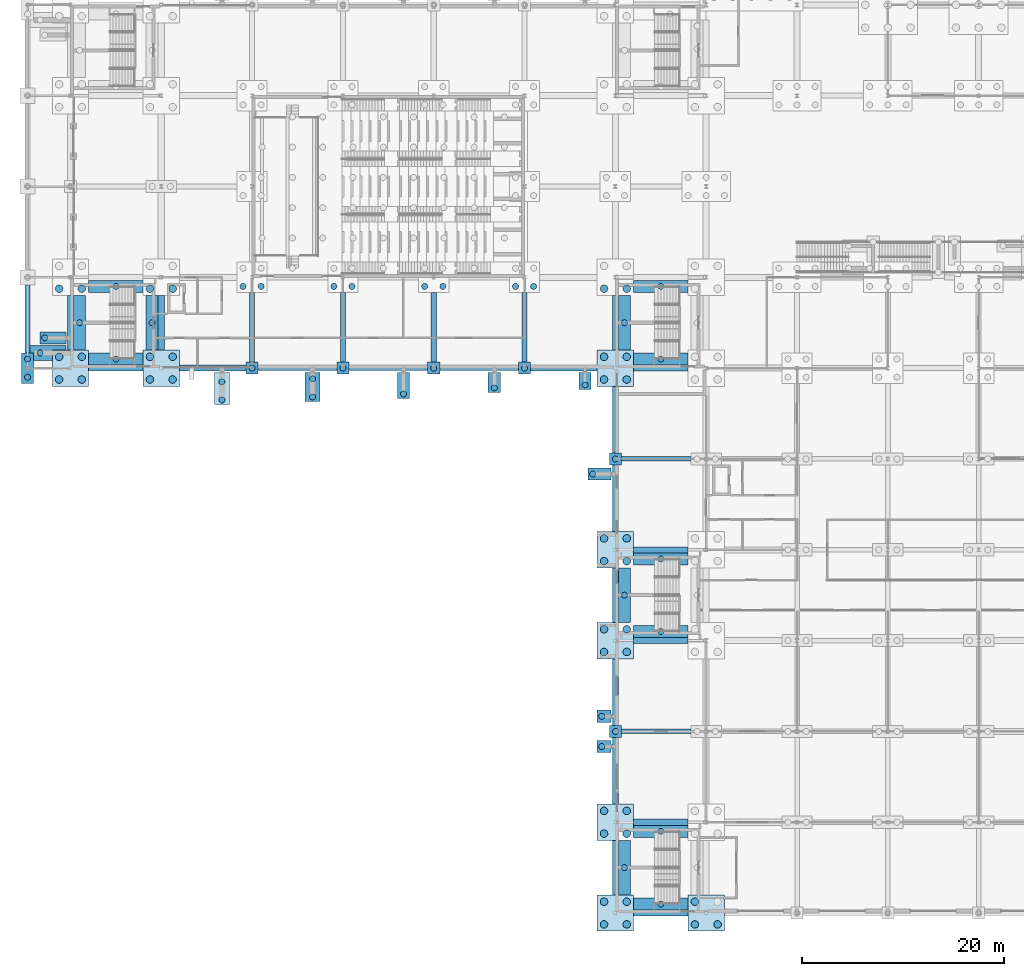
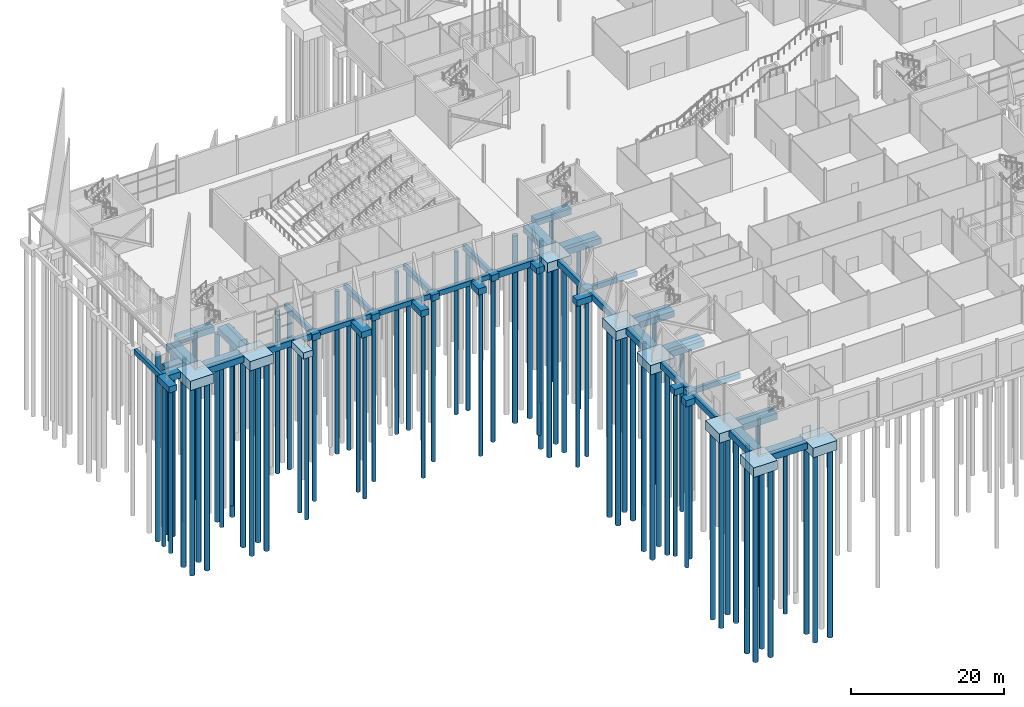
# One storey, part 1 of 139: 78 piles, 65 footings.
"""IFC4 building model written with IfcOpenShell, lengths in metres."""

from ifc_helpers import new_model, si_unit, direction, frame, origin, origin_2d, place, context, subcontext, project, spatial, polyline, rectangle, circle, outline, extrude, material, material_profile, profile_set, type_object, element, save


model = new_model("IFC4")

# Units and contexts
model_context = context("Model", 3, precision=1e-05, world=origin(), true_north=direction((0.0, 1.0)))
body_context = subcontext(model_context, "Body", "Model", "MODEL_VIEW")
ifc_project = project(units=[si_unit("LENGTHUNIT", "METRE"), si_unit("AREAUNIT", "SQUARE_METRE"), si_unit("VOLUMEUNIT", "CUBIC_METRE"), si_unit("PLANEANGLEUNIT", "RADIAN"), si_unit("MASSUNIT", "GRAM", prefix="KILO")], contexts=[model_context])

# Site, building, storey
site_placement = place(None, origin())
site = spatial("IfcSite", under=ifc_project, at=site_placement, CompositionType="ELEMENT")
building_placement = place(site_placement, origin())
building = spatial("IfcBuilding", under=site, at=building_placement, Name="Shorebreak Coast Museum", CompositionType="ELEMENT")
storey_placement = place(building_placement, origin())
storey = spatial("IfcBuildingStorey", under=building, at=storey_placement, Name="L00", CompositionType="ELEMENT", Elevation=0.0)

# Footings
ifc_material_1 = material(Name="Concrete N50 (50 MPa)", Category="concrete")
footing_type_1 = type_object("IfcFootingType", Name="Footing ground beam 450x800", PredefinedType="FOOTING_BEAM", material=ifc_material_1)
for number, where, z_axis, x_axis, name in (
    (1, (58.050048828125, 18.0, -1.10009765625), (0.0, 0.0, 1.0), (1.0, 0.0, 0.0), "Ground beam 7C to 8C"),
    (2, (58.050048828125, 45.0, -1.10009765625), (0.0, 0.0, 1.0), (1.0, 0.0, 0.0), "Ground beam 7F to 8F"),
):
    element("IfcFooting", number, at=place(storey_placement, frame(where, z_axis=z_axis, x_axis=x_axis)), inside=storey, type_object=footing_type_1, Name=name, PredefinedType="FOOTING_BEAM", context=body_context, shape_type="SweptSolid", body=[
        extrude(rectangle(XDim=6.89990234375, YDim=0.449951171875, at=origin_2d()), origin(), (0.0, 0.0, 1.0), 0.800048828125),
    ])
for number, where, z_axis, x_axis, name in (
    (3, (22.5, 54.0, -1.10009765625), (0.0, 0.0, 1.0), (1.0, 0.0, 0.0), "Ground beam 3G to 4G"),
    (4, (31.5, 54.0, -1.10009765625), (0.0, 0.0, 1.0), (1.0, 0.0, 0.0), "Ground beam 4G to 5G"),
    (5, (40.5, 54.0, -1.10009765625), (0.0, 0.0, 1.0), (1.0, 0.0, 0.0), "Ground beam 5G to 6G"),
):
    element("IfcFooting", number, at=place(storey_placement, frame(where, z_axis=z_axis, x_axis=x_axis)), inside=storey, type_object=footing_type_1, Name=name, PredefinedType="FOOTING_BEAM", context=body_context, shape_type="SweptSolid", body=[
        extrude(rectangle(XDim=7.800048828125, YDim=0.449951171875, at=origin_2d()), origin(), (0.0, 0.0, 1.0), 0.800048828125),
    ])
footing_1_placement = place(storey_placement, frame((-4.25, 58.875, -1.10009765625), z_axis=(0.0, 0.0, 1.0), x_axis=(1.0, 0.0, 0.0)))
element("IfcFooting", 6, at=footing_1_placement, inside=storey, type_object=footing_type_1, Name="Ground beam arcade west 1 to 2", PredefinedType="FOOTING_BEAM", context=body_context, shape_type="SweptSolid", body=[
    extrude(rectangle(XDim=0.449951171875, YDim=6.75, at=origin_2d()), origin(), (0.0, 0.0, 1.0), 0.800048828125),
])
ifc_material_2 = material(Name="Concrete N50 (50 MPa)", Category="concrete")
footing_type_2 = type_object("IfcFootingType", Name="Footing ground beam 500x900", PredefinedType="FOOTING_BEAM", material=ifc_material_2)
for number, where, z_axis, x_axis, name in (
    (7, (18.0, 58.050048828125, -1.199951171875), (0.0, 0.0, 1.0), (1.0, 0.0, 0.0), "Ground beam 3G to 3H"),
    (8, (27.0, 58.050048828125, -1.199951171875), (0.0, 0.0, 1.0), (1.0, 0.0, 0.0), "Ground beam 4G to 4H"),
    (9, (36.0, 58.050048828125, -1.199951171875), (0.0, 0.0, 1.0), (1.0, 0.0, 0.0), "Ground beam 5G to 5H"),
    (10, (45.0, 58.050048828125, -1.199951171875), (0.0, 0.0, 1.0), (1.0, 0.0, 0.0), "Ground beam 6G to 6H"),
):
    element("IfcFooting", number, at=place(storey_placement, frame(where, z_axis=z_axis, x_axis=x_axis)), inside=storey, type_object=footing_type_2, Name=name, PredefinedType="FOOTING_BEAM", context=body_context, shape_type="SweptSolid", body=[
        extrude(rectangle(XDim=0.5, YDim=6.89990234375, at=origin_2d()), origin(), (0.0, 0.0, 1.0), 0.89990234375),
    ])
ifc_material_3 = material(Name="Concrete N50 (50 MPa)", Category="concrete")
footing_type_3 = type_object("IfcFootingType", Name="Footing ground beam 600x1000", PredefinedType="FOOTING_BEAM", material=ifc_material_3)
footing_2_placement = place(storey_placement, frame((58.5, 0.0, -1.300048828125), z_axis=(0.0, 0.0, 1.0), x_axis=(1.0, 0.0, 0.0)))
element("IfcFooting", 11, at=footing_2_placement, inside=storey, type_object=footing_type_3, Name="Ground beam 7A to 8A", PredefinedType="FOOTING_BEAM", context=body_context, shape_type="SweptSolid", body=[
    extrude(rectangle(XDim=5.39990234375, YDim=0.60009765625, at=origin_2d()), origin(), (0.0, 0.0, 1.0), 1.0),
])
footing_3_placement = place(storey_placement, frame((54.0, 4.5, -1.300048828125), z_axis=(0.0, 0.0, 1.0), x_axis=(1.0, 0.0, 0.0)))
element("IfcFooting", 12, at=footing_3_placement, inside=storey, type_object=footing_type_3, Name="Ground beam 7A to 7B", PredefinedType="FOOTING_BEAM", context=body_context, shape_type="SweptSolid", body=[
    extrude(rectangle(XDim=0.60009765625, YDim=5.39990234375, at=origin_2d()), origin(), (0.0, 0.0, 1.0), 1.0),
])
footing_4_placement = place(storey_placement, frame((58.5, 9.0, -1.300048828125), z_axis=(0.0, 0.0, 1.0), x_axis=(1.0, 0.0, 0.0)))
element("IfcFooting", 13, at=footing_4_placement, inside=storey, type_object=footing_type_3, Name="Ground beam 7B to 8B", PredefinedType="FOOTING_BEAM", context=body_context, shape_type="SweptSolid", body=[
    extrude(rectangle(XDim=5.39990234375, YDim=0.60009765625, at=origin_2d()), origin(), (0.0, 0.0, 1.0), 1.0),
])
for number, where, z_axis, x_axis, name in (
    (14, (54.0, 14.10009765625, -1.300048828125), (0.0, 0.0, 1.0), (1.0, 0.0, 0.0), "Ground beam 7B to 7C"),
    (15, (54.0, 21.89990234375, -1.300048828125), (0.0, 0.0, 1.0), (1.0, 0.0, 0.0), "Ground beam 7C to 7D"),
):
    element("IfcFooting", number, at=place(storey_placement, frame(where, z_axis=z_axis, x_axis=x_axis)), inside=storey, type_object=footing_type_3, Name=name, PredefinedType="FOOTING_BEAM", context=body_context, shape_type="SweptSolid", body=[
        extrude(rectangle(XDim=0.60009765625, YDim=6.60009765625, at=origin_2d()), origin(), (0.0, 0.0, 1.0), 1.0),
    ])
footing_5_placement = place(storey_placement, frame((58.5, 27.0, -1.300048828125), z_axis=(0.0, 0.0, 1.0), x_axis=(1.0, 0.0, 0.0)))
element("IfcFooting", 16, at=footing_5_placement, inside=storey, type_object=footing_type_3, Name="Ground beam 7D to 8D", PredefinedType="FOOTING_BEAM", context=body_context, shape_type="SweptSolid", body=[
    extrude(rectangle(XDim=5.39990234375, YDim=0.60009765625, at=origin_2d()), origin(), (0.0, 0.0, 1.0), 1.0),
])
footing_6_placement = place(storey_placement, frame((54.0, 31.5, -1.300048828125), z_axis=(0.0, 0.0, 1.0), x_axis=(1.0, 0.0, 0.0)))
element("IfcFooting", 17, at=footing_6_placement, inside=storey, type_object=footing_type_3, Name="Ground beam 7D to 7E", PredefinedType="FOOTING_BEAM", context=body_context, shape_type="SweptSolid", body=[
    extrude(rectangle(XDim=0.60009765625, YDim=5.39990234375, at=origin_2d()), origin(), (0.0, 0.0, 1.0), 1.0),
])
footing_7_placement = place(storey_placement, frame((58.5, 36.0, -1.300048828125), z_axis=(0.0, 0.0, 1.0), x_axis=(1.0, 0.0, 0.0)))
element("IfcFooting", 18, at=footing_7_placement, inside=storey, type_object=footing_type_3, Name="Ground beam 7E to 8E", PredefinedType="FOOTING_BEAM", context=body_context, shape_type="SweptSolid", body=[
    extrude(rectangle(XDim=5.39990234375, YDim=0.60009765625, at=origin_2d()), origin(), (0.0, 0.0, 1.0), 1.0),
])
for number, where, z_axis, x_axis, name in (
    (19, (54.0, 41.10009765625, -1.300048828125), (0.0, 0.0, 1.0), (1.0, 0.0, 0.0), "Ground beam 7E to 7F"),
    (20, (54.0, 48.89990234375, -1.300048828125), (0.0, 0.0, 1.0), (1.0, 0.0, 0.0), "Ground beam 7F to 7G"),
):
    element("IfcFooting", number, at=place(storey_placement, frame(where, z_axis=z_axis, x_axis=x_axis)), inside=storey, type_object=footing_type_3, Name=name, PredefinedType="FOOTING_BEAM", context=body_context, shape_type="SweptSolid", body=[
        extrude(rectangle(XDim=0.60009765625, YDim=6.60009765625, at=origin_2d()), origin(), (0.0, 0.0, 1.0), 1.0),
    ])
footing_8_placement = place(storey_placement, frame((4.5, 54.0, -1.300048828125), z_axis=(0.0, 0.0, 1.0), x_axis=(1.0, 0.0, 0.0)))
element("IfcFooting", 21, at=footing_8_placement, inside=storey, type_object=footing_type_3, Name="Ground beam 1G to 2G", PredefinedType="FOOTING_BEAM", context=body_context, shape_type="SweptSolid", body=[
    extrude(rectangle(XDim=5.39990234375, YDim=0.60009765625, at=origin_2d()), origin(), (0.0, 0.0, 1.0), 1.0),
])
footing_9_placement = place(storey_placement, frame((0.0, 58.5, -1.300048828125), z_axis=(0.0, 0.0, 1.0), x_axis=(1.0, 0.0, 0.0)))
element("IfcFooting", 22, at=footing_9_placement, inside=storey, type_object=footing_type_3, Name="Ground beam 1G to 1H", PredefinedType="FOOTING_BEAM", context=body_context, shape_type="SweptSolid", body=[
    extrude(rectangle(XDim=0.60009765625, YDim=5.39990234375, at=origin_2d()), origin(), (0.0, 0.0, 1.0), 1.0),
])
footing_10_placement = place(storey_placement, frame((14.10009765625, 54.0, -1.300048828125), z_axis=(0.0, 0.0, 1.0), x_axis=(1.0, 0.0, 0.0)))
element("IfcFooting", 23, at=footing_10_placement, inside=storey, type_object=footing_type_3, Name="Ground beam 2G to 3G", PredefinedType="FOOTING_BEAM", context=body_context, shape_type="SweptSolid", body=[
    extrude(rectangle(XDim=6.60009765625, YDim=0.60009765625, at=origin_2d()), origin(), (0.0, 0.0, 1.0), 1.0),
])
footing_11_placement = place(storey_placement, frame((9.0, 58.5, -1.300048828125), z_axis=(0.0, 0.0, 1.0), x_axis=(1.0, 0.0, 0.0)))
element("IfcFooting", 24, at=footing_11_placement, inside=storey, type_object=footing_type_3, Name="Ground beam 2G to 2H", PredefinedType="FOOTING_BEAM", context=body_context, shape_type="SweptSolid", body=[
    extrude(rectangle(XDim=0.60009765625, YDim=5.39990234375, at=origin_2d()), origin(), (0.0, 0.0, 1.0), 1.0),
])
footing_12_placement = place(storey_placement, frame((48.89990234375, 54.0, -1.300048828125), z_axis=(0.0, 0.0, 1.0), x_axis=(1.0, 0.0, 0.0)))
element("IfcFooting", 25, at=footing_12_placement, inside=storey, type_object=footing_type_3, Name="Ground beam 6G to 7G", PredefinedType="FOOTING_BEAM", context=body_context, shape_type="SweptSolid", body=[
    extrude(rectangle(XDim=6.60009765625, YDim=0.60009765625, at=origin_2d()), origin(), (0.0, 0.0, 1.0), 1.0),
])
footing_13_placement = place(storey_placement, frame((58.5, 54.0, -1.300048828125), z_axis=(0.0, 0.0, 1.0), x_axis=(1.0, 0.0, 0.0)))
element("IfcFooting", 26, at=footing_13_placement, inside=storey, type_object=footing_type_3, Name="Ground beam 7G to 8G", PredefinedType="FOOTING_BEAM", context=body_context, shape_type="SweptSolid", body=[
    extrude(rectangle(XDim=5.39990234375, YDim=0.60009765625, at=origin_2d()), origin(), (0.0, 0.0, 1.0), 1.0),
])
footing_14_placement = place(storey_placement, frame((54.0, 58.5, -1.300048828125), z_axis=(0.0, 0.0, 1.0), x_axis=(1.0, 0.0, 0.0)))
element("IfcFooting", 27, at=footing_14_placement, inside=storey, type_object=footing_type_3, Name="Ground beam 7G to 7H", PredefinedType="FOOTING_BEAM", context=body_context, shape_type="SweptSolid", body=[
    extrude(rectangle(XDim=0.60009765625, YDim=5.39990234375, at=origin_2d()), origin(), (0.0, 0.0, 1.0), 1.0),
])
ifc_material_4 = material(Name="Concrete N50 (50 MPa)", Category="concrete")
footing_type_4 = type_object("IfcFootingType", Name="Footing pile cap 1200x1200x1000", PredefinedType="PILE_CAP", material=ifc_material_4)
for number, where, z_axis, x_axis, name in (
    (28, (54.0, 18.0, -1.300048828125), (0.0, 0.0, 1.0), (1.0, 0.0, 0.0), "Pile cap 7C"),
    (29, (54.0, 45.0, -1.300048828125), (0.0, 0.0, 1.0), (1.0, 0.0, 0.0), "Pile cap 7F"),
    (30, (18.0, 54.0, -1.300048828125), (0.0, 0.0, 1.0), (1.0, 0.0, 0.0), "Pile cap 3G"),
    (31, (27.0, 54.0, -1.300048828125), (0.0, 0.0, 1.0), (1.0, 0.0, 0.0), "Pile cap 4G"),
    (32, (36.0, 54.0, -1.300048828125), (0.0, 0.0, 1.0), (1.0, 0.0, 0.0), "Pile cap 5G"),
    (33, (45.0, 54.0, -1.300048828125), (0.0, 0.0, 1.0), (1.0, 0.0, 0.0), "Pile cap 6G"),
):
    element("IfcFooting", number, at=place(storey_placement, frame(where, z_axis=z_axis, x_axis=x_axis)), inside=storey, type_object=footing_type_4, Name=name, PredefinedType="PILE_CAP", context=body_context, shape_type="SweptSolid", body=[
        extrude(rectangle(XDim=1.199951171875, YDim=1.199951171875, at=origin_2d()), origin(), (0.0, 0.0, 1.0), 1.0),
    ])
ifc_material_5 = material(Name="Concrete N50 (50 MPa)", Category="concrete")
footing_type_5 = type_object("IfcFootingType", Name="Footing pile cap 1200x3000x1000", PredefinedType="PILE_CAP", material=ifc_material_5)
footing_15_placement = place(storey_placement, frame((-4.25, 54.0, -1.300048828125), z_axis=(0.0, 0.0, 1.0), x_axis=(1.0, 0.0, 0.0)))
element("IfcFooting", 34, at=footing_15_placement, inside=storey, type_object=footing_type_5, Name="Pile cap arcade west 1", PredefinedType="PILE_CAP", context=body_context, shape_type="SweptSolid", body=[
    extrude(rectangle(XDim=1.199951171875, YDim=3.0, at=origin_2d()), origin(), (0.0, 0.0, 1.0), 1.0),
])
ifc_material_6 = material(Name="Concrete N50 (50 MPa)", Category="concrete")
footing_type_6 = type_object("IfcFootingType", Name="Footing pile cap 3600x3600x1500", PredefinedType="PILE_CAP", material=ifc_material_6)
for number, where, z_axis, x_axis, name in (
    (35, (54.0, 0.0, -1.800048828125), (0.0, 0.0, 1.0), (1.0, 0.0, 0.0), "Pile cap 7A"),
    (36, (63.0, 0.0, -1.800048828125), (0.0, 0.0, 1.0), (1.0, 0.0, 0.0), "Pile cap 8A"),
    (37, (54.0, 9.0, -1.800048828125), (0.0, 0.0, 1.0), (1.0, 0.0, 0.0), "Pile cap 7B"),
    (38, (54.0, 27.0, -1.800048828125), (0.0, 0.0, 1.0), (1.0, 0.0, 0.0), "Pile cap 7D"),
    (39, (54.0, 36.0, -1.800048828125), (0.0, 0.0, 1.0), (1.0, 0.0, 0.0), "Pile cap 7E"),
    (40, (0.0, 54.0, -1.800048828125), (0.0, 0.0, 1.0), (1.0, 0.0, 0.0), "Pile cap 1G"),
    (41, (9.0, 54.0, -1.800048828125), (0.0, 0.0, 1.0), (1.0, 0.0, 0.0), "Pile cap 2G"),
    (42, (54.0, 54.0, -1.800048828125), (0.0, 0.0, 1.0), (1.0, 0.0, 0.0), "Pile cap 7G"),
):
    element("IfcFooting", number, at=place(storey_placement, frame(where, z_axis=z_axis, x_axis=x_axis)), inside=storey, type_object=footing_type_6, Name=name, PredefinedType="PILE_CAP", context=body_context, shape_type="SweptSolid", body=[
        extrude(rectangle(XDim=3.60009765625, YDim=3.60009765625, at=origin_2d()), origin(), (0.0, 0.0, 1.0), 1.5),
    ])
ifc_material_7 = material(Name="Concrete N50 (50 MPa)", Category="concrete")
footing_type_7 = type_object("IfcFootingType", Name="Footing strip footing 1200x1650x1000", PredefinedType="STRIP_FOOTING", material=ifc_material_7)
footing_16_placement = place(storey_placement, frame((51.0, 52.72509765625, -1.300048828125), z_axis=(0.0, 0.0, 1.0), x_axis=(1.0, 0.0, 0.0)))
element("IfcFooting", 43, at=footing_16_placement, inside=storey, type_object=footing_type_7, Name="Fin pad WS18", PredefinedType="STRIP_FOOTING", context=body_context, shape_type="SweptSolid", body=[
    extrude(rectangle(XDim=1.199951171875, YDim=1.64990234375, at=origin_2d()), origin(), (0.0, 0.0, 1.0), 1.0),
])
ifc_material_8 = material(Name="Concrete N50 (50 MPa)", Category="concrete")
footing_type_8 = type_object("IfcFootingType", Name="Footing strip footing 1200x1950x1000", PredefinedType="STRIP_FOOTING", material=ifc_material_8)
footing_17_placement = place(storey_placement, frame((42.0, 52.574951171875, -1.300048828125), z_axis=(0.0, 0.0, 1.0), x_axis=(1.0, 0.0, 0.0)))
element("IfcFooting", 44, at=footing_17_placement, inside=storey, type_object=footing_type_8, Name="Fin pad WS17", PredefinedType="STRIP_FOOTING", context=body_context, shape_type="SweptSolid", body=[
    extrude(rectangle(XDim=1.199951171875, YDim=1.949951171875, at=origin_2d()), origin(), (0.0, 0.0, 1.0), 1.0),
])
ifc_material_9 = material(Name="Concrete N50 (50 MPa)", Category="concrete")
footing_type_9 = type_object("IfcFootingType", Name="Footing strip footing 1200x2550x1000", PredefinedType="STRIP_FOOTING", material=ifc_material_9)
footing_18_placement = place(storey_placement, frame((33.0, 52.27490234375, -1.300048828125), z_axis=(0.0, 0.0, 1.0), x_axis=(1.0, 0.0, 0.0)))
element("IfcFooting", 45, at=footing_18_placement, inside=storey, type_object=footing_type_9, Name="Fin pad WS16", PredefinedType="STRIP_FOOTING", context=body_context, shape_type="SweptSolid", body=[
    extrude(rectangle(XDim=1.199951171875, YDim=2.550048828125, at=origin_2d()), origin(), (0.0, 0.0, 1.0), 1.0),
])
ifc_material_10 = material(Name="Concrete N50 (50 MPa)", Category="concrete")
footing_type_10 = type_object("IfcFootingType", Name="Footing strip footing 1200x5400x1000", PredefinedType="STRIP_FOOTING", material=ifc_material_10)
for number, where, z_axis, x_axis, name in (
    (46, (54.89990234375, 58.5, -1.300048828125), (0.0, 0.0, 1.0), (1.0, 0.0, 0.0), "Core wall strip footing ST01 west side"),
    (47, (0.89990234375, 58.5, -1.300048828125), (0.0, 0.0, 1.0), (1.0, 0.0, 0.0), "Core wall strip footing ST05 west side"),
    (48, (8.10009765625, 58.5, -1.300048828125), (0.0, 0.0, 1.0), (1.0, 0.0, 0.0), "Core wall strip footing ST05 east side"),
    (49, (54.89990234375, 4.5, -1.300048828125), (0.0, 0.0, 1.0), (1.0, 0.0, 0.0), "Core wall strip footing ST11 west side"),
    (50, (54.89990234375, 31.5, -1.300048828125), (0.0, 0.0, 1.0), (1.0, 0.0, 0.0), "Core wall strip footing ST13 west side"),
):
    element("IfcFooting", number, at=place(storey_placement, frame(where, z_axis=z_axis, x_axis=x_axis)), inside=storey, type_object=footing_type_10, Name=name, PredefinedType="STRIP_FOOTING", context=body_context, shape_type="SweptSolid", body=[
        extrude(rectangle(XDim=1.199951171875, YDim=5.39990234375, at=origin_2d()), origin(), (0.0, 0.0, 1.0), 1.0),
    ])
ifc_material_11 = material(Name="Concrete N50 (50 MPa)", Category="concrete")
footing_type_11 = type_object("IfcFootingType", Name="Footing strip footing 1350x1200x1000", PredefinedType="STRIP_FOOTING", material=ifc_material_11)
for number, where, z_axis, x_axis, name in (
    (51, (52.875, 16.5, -1.300048828125), (0.0, 0.0, 1.0), (1.0, 0.0, 0.0), "Fin pad SW33"),
    (52, (52.875, 19.5, -1.300048828125), (0.0, 0.0, 1.0), (1.0, 0.0, 0.0), "Fin pad SW34"),
):
    element("IfcFooting", number, at=place(storey_placement, frame(where, z_axis=z_axis, x_axis=x_axis)), inside=storey, type_object=footing_type_11, Name=name, PredefinedType="STRIP_FOOTING", context=body_context, shape_type="SweptSolid", body=[
        extrude(rectangle(XDim=1.35009765625, YDim=1.199951171875, at=origin_2d()), origin(), (0.0, 0.0, 1.0), 1.0),
    ])
ifc_material_12 = material(Name="Concrete N50 (50 MPa)", Category="concrete")
footing_type_12 = type_object("IfcFootingType", Name="Footing strip footing 1500x2850x1000", PredefinedType="STRIP_FOOTING", material=ifc_material_12)
footing_19_placement = place(storey_placement, frame((24.0, 52.125, -1.300048828125), z_axis=(0.0, 0.0, 1.0), x_axis=(1.0, 0.0, 0.0)))
element("IfcFooting", 53, at=footing_19_placement, inside=storey, type_object=footing_type_12, Name="Fin pad WS15", PredefinedType="STRIP_FOOTING", context=body_context, shape_type="SweptSolid", body=[
    extrude(rectangle(XDim=1.5, YDim=2.85009765625, at=origin_2d()), origin(), (0.0, 0.0, 1.0), 1.0),
])
ifc_material_13 = material(Name="Concrete N50 (50 MPa)", Category="concrete")
footing_type_13 = type_object("IfcFootingType", Name="Footing strip footing 1500x3150x1000", PredefinedType="STRIP_FOOTING", material=ifc_material_13)
footing_20_placement = place(storey_placement, frame((15.0, 51.97509765625, -1.300048828125), z_axis=(0.0, 0.0, 1.0), x_axis=(1.0, 0.0, 0.0)))
element("IfcFooting", 54, at=footing_20_placement, inside=storey, type_object=footing_type_13, Name="Fin pad WS14", PredefinedType="STRIP_FOOTING", context=body_context, shape_type="SweptSolid", body=[
    extrude(rectangle(XDim=1.5, YDim=3.14990234375, at=origin_2d()), origin(), (0.0, 0.0, 1.0), 1.0),
])
ifc_material_14 = material(Name="Concrete N50 (50 MPa)", Category="concrete")
footing_type_14 = type_object("IfcFootingType", Name="Footing strip footing 2250x1200x1000", PredefinedType="STRIP_FOOTING", material=ifc_material_14)
footing_21_placement = place(storey_placement, frame((52.425048828125, 43.5, -1.300048828125), z_axis=(0.0, 0.0, 1.0), x_axis=(1.0, 0.0, 0.0)))
element("IfcFooting", 55, at=footing_21_placement, inside=storey, type_object=footing_type_14, Name="Fin pad SW39", PredefinedType="STRIP_FOOTING", context=body_context, shape_type="SweptSolid", body=[
    extrude(rectangle(XDim=2.25, YDim=1.199951171875, at=origin_2d()), origin(), (0.0, 0.0, 1.0), 1.0),
])
ifc_material_15 = material(Name="Concrete N50 (50 MPa)", Category="concrete")
footing_type_15 = type_object("IfcFootingType", Name="Footing strip footing 2550x1200x1000", PredefinedType="STRIP_FOOTING", material=ifc_material_15)
footing_22_placement = place(storey_placement, frame((-1.72509765625, 57.0, -1.300048828125), z_axis=(0.0, 0.0, 1.0), x_axis=(1.0, 0.0, 0.0)))
element("IfcFooting", 56, at=footing_22_placement, inside=storey, type_object=footing_type_15, Name="Fin pad W02", PredefinedType="STRIP_FOOTING", context=body_context, shape_type="SweptSolid", body=[
    extrude(rectangle(XDim=2.550048828125, YDim=1.199951171875, at=origin_2d()), origin(), (0.0, 0.0, 1.0), 1.0),
])
ifc_material_16 = material(Name="Concrete N50 (50 MPa)", Category="concrete")
footing_type_16 = type_object("IfcFootingType", Name="Footing strip footing 3750x1500x1000 notched", PredefinedType="STRIP_FOOTING", material=ifc_material_16)
footing_23_placement = place(storey_placement, frame((0.0, 0.0, -1.300048828125)))
element("IfcFooting", 57, at=footing_23_placement, inside=storey, type_object=footing_type_16, Name="Fin pad W01", PredefinedType="STRIP_FOOTING", context=body_context, shape_type="SweptSolid", body=[
    extrude(outline(polyline([(-4.199951171875, 54.75), (-4.199951171875, 56.25), (-0.449951171875, 56.25), (-0.449951171875, 55.800048828125), (-1.800048828125, 55.800048828125), (-1.800048828125, 54.75), (-4.199951171875, 54.75)])), origin(), (0.0, 0.0, 1.0), 1.0),
])
ifc_material_17 = material(Name="Concrete N50 (50 MPa)", Category="concrete")
footing_type_17 = type_object("IfcFootingType", Name="Footing strip footing 5400x1200x1000", PredefinedType="STRIP_FOOTING", material=ifc_material_17)
for number, where, z_axis, x_axis, name in (
    (58, (58.5, 54.89990234375, -1.300048828125), (0.0, 0.0, 1.0), (1.0, 0.0, 0.0), "Core wall strip footing ST01 south side"),
    (59, (58.5, 62.10009765625, -1.300048828125), (0.0, 0.0, 1.0), (1.0, 0.0, 0.0), "Core wall strip footing ST01 north side"),
    (60, (4.5, 54.89990234375, -1.300048828125), (0.0, 0.0, 1.0), (1.0, 0.0, 0.0), "Core wall strip footing ST05 south side"),
    (61, (4.5, 62.10009765625, -1.300048828125), (0.0, 0.0, 1.0), (1.0, 0.0, 0.0), "Core wall strip footing ST05 north side"),
    (62, (58.5, 0.89990234375, -1.300048828125), (0.0, 0.0, 1.0), (1.0, 0.0, 0.0), "Core wall strip footing ST11 south side"),
    (63, (58.5, 8.10009765625, -1.300048828125), (0.0, 0.0, 1.0), (1.0, 0.0, 0.0), "Core wall strip footing ST11 north side"),
    (64, (58.5, 27.89990234375, -1.300048828125), (0.0, 0.0, 1.0), (1.0, 0.0, 0.0), "Core wall strip footing ST13 south side"),
    (65, (58.5, 35.10009765625, -1.300048828125), (0.0, 0.0, 1.0), (1.0, 0.0, 0.0), "Core wall strip footing ST13 north side"),
):
    element("IfcFooting", number, at=place(storey_placement, frame(where, z_axis=z_axis, x_axis=x_axis)), inside=storey, type_object=footing_type_17, Name=name, PredefinedType="STRIP_FOOTING", context=body_context, shape_type="SweptSolid", body=[
        extrude(rectangle(XDim=5.39990234375, YDim=1.199951171875, at=origin_2d()), origin(), (0.0, 0.0, 1.0), 1.0),
    ])

# Piles
ifc_material_18 = material(Name="Concrete N50 (50 MPa)", Category="concrete")
ifc_material_profile_1 = material_profile(ifc_material_18, circle(Radius=0.300048828125, at=origin_2d()), Name="Pile bored 600 length 26")
ifc_profile_set_1 = profile_set([ifc_material_profile_1], Name="Concrete N50 (50 MPa)")
pile_type_1 = type_object("IfcPileType", Name="Pile bored 600 length 26", PredefinedType="BORED", material=ifc_profile_set_1)
for number, where, z_axis, x_axis, name in (
    (66, (54.0, 18.0, -1.300048828125), (0.0, 0.0, -1.0), (1.0, 0.0, 0.0), "Bored pile Pile cap 7C 1"),
    (67, (54.0, 45.0, -1.300048828125), (0.0, 0.0, -1.0), (1.0, 0.0, 0.0), "Bored pile Pile cap 7F 1"),
    (68, (18.0, 54.0, -1.300048828125), (0.0, 0.0, -1.0), (1.0, 0.0, 0.0), "Bored pile Pile cap 3G 1"),
    (69, (27.0, 54.0, -1.300048828125), (0.0, 0.0, -1.0), (1.0, 0.0, 0.0), "Bored pile Pile cap 4G 1"),
    (70, (36.0, 54.0, -1.300048828125), (0.0, 0.0, -1.0), (1.0, 0.0, 0.0), "Bored pile Pile cap 5G 1"),
    (71, (45.0, 54.0, -1.300048828125), (0.0, 0.0, -1.0), (1.0, 0.0, 0.0), "Bored pile Pile cap 6G 1"),
    (72, (17.10009765625, 62.10009765625, -1.5), (0.0, 0.0, -1.0), (1.0, 0.0, 0.0), "Bored pile Pile cap 3H 1"),
    (73, (18.89990234375, 62.10009765625, -1.5), (0.0, 0.0, -1.0), (1.0, 0.0, 0.0), "Bored pile Pile cap 3H 2"),
    (74, (26.10009765625, 62.10009765625, -1.5), (0.0, 0.0, -1.0), (1.0, 0.0, 0.0), "Bored pile Pile cap 4H 1"),
    (75, (27.89990234375, 62.10009765625, -1.5), (0.0, 0.0, -1.0), (1.0, 0.0, 0.0), "Bored pile Pile cap 4H 2"),
    (76, (35.10009765625, 62.10009765625, -1.5), (0.0, 0.0, -1.0), (1.0, 0.0, 0.0), "Bored pile Pile cap 5H 1"),
    (77, (36.89990234375, 62.10009765625, -1.5), (0.0, 0.0, -1.0), (1.0, 0.0, 0.0), "Bored pile Pile cap 5H 2"),
    (78, (44.10009765625, 62.10009765625, -1.5), (0.0, 0.0, -1.0), (1.0, 0.0, 0.0), "Bored pile Pile cap 6H 1"),
    (79, (45.89990234375, 62.10009765625, -1.5), (0.0, 0.0, -1.0), (1.0, 0.0, 0.0), "Bored pile Pile cap 6H 2"),
    (80, (58.5, 54.89990234375, -1.300048828125), (0.0, 0.0, -1.0), (1.0, 0.0, 0.0), "Bored pile Core wall strip footing ST01 south side 1"),
    (81, (58.5, 62.10009765625, -1.300048828125), (0.0, 0.0, -1.0), (1.0, 0.0, 0.0), "Bored pile Core wall strip footing ST01 north side 1"),
    (82, (54.89990234375, 58.5, -1.300048828125), (0.0, 0.0, -1.0), (1.0, 0.0, 0.0), "Bored pile Core wall strip footing ST01 west side 1"),
    (83, (4.5, 54.89990234375, -1.300048828125), (0.0, 0.0, -1.0), (1.0, 0.0, 0.0), "Bored pile Core wall strip footing ST05 south side 1"),
    (84, (4.5, 62.10009765625, -1.300048828125), (0.0, 0.0, -1.0), (1.0, 0.0, 0.0), "Bored pile Core wall strip footing ST05 north side 1"),
    (85, (0.89990234375, 58.5, -1.300048828125), (0.0, 0.0, -1.0), (1.0, 0.0, 0.0), "Bored pile Core wall strip footing ST05 west side 1"),
    (86, (8.10009765625, 58.5, -1.300048828125), (0.0, 0.0, -1.0), (1.0, 0.0, 0.0), "Bored pile Core wall strip footing ST05 east side 1"),
    (87, (58.5, 0.89990234375, -1.300048828125), (0.0, 0.0, -1.0), (1.0, 0.0, 0.0), "Bored pile Core wall strip footing ST11 south side 1"),
    (88, (58.5, 8.10009765625, -1.300048828125), (0.0, 0.0, -1.0), (1.0, 0.0, 0.0), "Bored pile Core wall strip footing ST11 north side 1"),
    (89, (54.89990234375, 4.5, -1.300048828125), (0.0, 0.0, -1.0), (1.0, 0.0, 0.0), "Bored pile Core wall strip footing ST11 west side 1"),
    (90, (58.5, 27.89990234375, -1.300048828125), (0.0, 0.0, -1.0), (1.0, 0.0, 0.0), "Bored pile Core wall strip footing ST13 south side 1"),
    (91, (58.5, 35.10009765625, -1.300048828125), (0.0, 0.0, -1.0), (1.0, 0.0, 0.0), "Bored pile Core wall strip footing ST13 north side 1"),
    (92, (54.89990234375, 31.5, -1.300048828125), (0.0, 0.0, -1.0), (1.0, 0.0, 0.0), "Bored pile Core wall strip footing ST13 west side 1"),
    (93, (-3.0, 55.5, -1.300048828125), (0.0, 0.0, -1.0), (1.0, 0.0, 0.0), "Bored pile Fin pad W01 1"),
    (94, (-2.550048828125, 57.0, -1.300048828125), (0.0, 0.0, -1.0), (1.0, 0.0, 0.0), "Bored pile Fin pad W02 1"),
    (95, (15.0, 50.85009765625, -1.300048828125), (0.0, 0.0, -1.0), (1.0, 0.0, 0.0), "Bored pile Fin pad WS14 1"),
    (96, (15.0, 52.64990234375, -1.300048828125), (0.0, 0.0, -1.0), (1.0, 0.0, 0.0), "Bored pile Fin pad WS14 2"),
    (97, (24.0, 51.14990234375, -1.300048828125), (0.0, 0.0, -1.0), (1.0, 0.0, 0.0), "Bored pile Fin pad WS15 1"),
    (98, (24.0, 52.949951171875, -1.300048828125), (0.0, 0.0, -1.0), (1.0, 0.0, 0.0), "Bored pile Fin pad WS15 2"),
    (99, (33.0, 51.449951171875, -1.300048828125), (0.0, 0.0, -1.0), (1.0, 0.0, 0.0), "Bored pile Fin pad WS16 1"),
    (100, (42.0, 52.050048828125, -1.300048828125), (0.0, 0.0, -1.0), (1.0, 0.0, 0.0), "Bored pile Fin pad WS17 1"),
    (101, (51.0, 52.35009765625, -1.300048828125), (0.0, 0.0, -1.0), (1.0, 0.0, 0.0), "Bored pile Fin pad WS18 1"),
    (102, (52.64990234375, 16.5, -1.300048828125), (0.0, 0.0, -1.0), (1.0, 0.0, 0.0), "Bored pile Fin pad SW33 1"),
    (103, (52.64990234375, 19.5, -1.300048828125), (0.0, 0.0, -1.0), (1.0, 0.0, 0.0), "Bored pile Fin pad SW34 1"),
    (104, (51.75, 43.5, -1.300048828125), (0.0, 0.0, -1.0), (1.0, 0.0, 0.0), "Bored pile Fin pad SW39 1"),
    (105, (-4.25, 53.10009765625, -1.300048828125), (0.0, 0.0, -1.0), (1.0, 0.0, 0.0), "Bored pile arcade west 1 1"),
    (106, (-4.25, 54.89990234375, -1.300048828125), (0.0, 0.0, -1.0), (1.0, 0.0, 0.0), "Bored pile arcade west 1 2"),
):
    element("IfcPile", number, at=place(storey_placement, frame(where, z_axis=z_axis, x_axis=x_axis)), inside=storey, type_object=pile_type_1, Name=name, PredefinedType="BORED", context=body_context, shape_type="SweptSolid", body=[
        extrude(circle(Radius=0.300048828125, at=origin_2d()), origin(), (0.0, 0.0, 1.0), 26.0),
    ])
ifc_material_19 = material(Name="Concrete N50 (50 MPa)", Category="concrete")
ifc_material_profile_2 = material_profile(ifc_material_19, circle(Radius=0.375, at=origin_2d()), Name="Pile bored 750 length 30")
ifc_profile_set_2 = profile_set([ifc_material_profile_2], Name="Concrete N50 (50 MPa)")
pile_type_2 = type_object("IfcPileType", Name="Pile bored 750 length 30", PredefinedType="BORED", material=ifc_profile_set_2)
for number, where, z_axis, x_axis, name in (
    (107, (52.875, -1.125, -1.800048828125), (0.0, 0.0, -1.0), (1.0, 0.0, 0.0), "Bored pile Pile cap 7A 1"),
    (108, (55.125, -1.125, -1.800048828125), (0.0, 0.0, -1.0), (1.0, 0.0, 0.0), "Bored pile Pile cap 7A 2"),
    (109, (52.875, 1.125, -1.800048828125), (0.0, 0.0, -1.0), (1.0, 0.0, 0.0), "Bored pile Pile cap 7A 3"),
    (110, (55.125, 1.125, -1.800048828125), (0.0, 0.0, -1.0), (1.0, 0.0, 0.0), "Bored pile Pile cap 7A 4"),
    (111, (61.875, -1.125, -1.800048828125), (0.0, 0.0, -1.0), (1.0, 0.0, 0.0), "Bored pile Pile cap 8A 1"),
    (112, (64.125, -1.125, -1.800048828125), (0.0, 0.0, -1.0), (1.0, 0.0, 0.0), "Bored pile Pile cap 8A 2"),
    (113, (61.875, 1.125, -1.800048828125), (0.0, 0.0, -1.0), (1.0, 0.0, 0.0), "Bored pile Pile cap 8A 3"),
    (114, (52.875, 7.875, -1.800048828125), (0.0, 0.0, -1.0), (1.0, 0.0, 0.0), "Bored pile Pile cap 7B 1"),
    (115, (55.125, 7.875, -1.800048828125), (0.0, 0.0, -1.0), (1.0, 0.0, 0.0), "Bored pile Pile cap 7B 2"),
    (116, (52.875, 10.125, -1.800048828125), (0.0, 0.0, -1.0), (1.0, 0.0, 0.0), "Bored pile Pile cap 7B 3"),
    (117, (55.125, 10.125, -1.800048828125), (0.0, 0.0, -1.0), (1.0, 0.0, 0.0), "Bored pile Pile cap 7B 4"),
    (118, (52.875, 25.875, -1.800048828125), (0.0, 0.0, -1.0), (1.0, 0.0, 0.0), "Bored pile Pile cap 7D 1"),
    (119, (55.125, 25.875, -1.800048828125), (0.0, 0.0, -1.0), (1.0, 0.0, 0.0), "Bored pile Pile cap 7D 2"),
    (120, (52.875, 28.125, -1.800048828125), (0.0, 0.0, -1.0), (1.0, 0.0, 0.0), "Bored pile Pile cap 7D 3"),
    (121, (55.125, 28.125, -1.800048828125), (0.0, 0.0, -1.0), (1.0, 0.0, 0.0), "Bored pile Pile cap 7D 4"),
    (122, (52.875, 34.875, -1.800048828125), (0.0, 0.0, -1.0), (1.0, 0.0, 0.0), "Bored pile Pile cap 7E 1"),
    (123, (55.125, 34.875, -1.800048828125), (0.0, 0.0, -1.0), (1.0, 0.0, 0.0), "Bored pile Pile cap 7E 2"),
    (124, (52.875, 37.125, -1.800048828125), (0.0, 0.0, -1.0), (1.0, 0.0, 0.0), "Bored pile Pile cap 7E 3"),
    (125, (55.125, 37.125, -1.800048828125), (0.0, 0.0, -1.0), (1.0, 0.0, 0.0), "Bored pile Pile cap 7E 4"),
    (126, (-1.125, 52.875, -1.800048828125), (0.0, 0.0, -1.0), (1.0, 0.0, 0.0), "Bored pile Pile cap 1G 1"),
    (127, (1.125, 52.875, -1.800048828125), (0.0, 0.0, -1.0), (1.0, 0.0, 0.0), "Bored pile Pile cap 1G 2"),
    (128, (-1.125, 55.125, -1.800048828125), (0.0, 0.0, -1.0), (1.0, 0.0, 0.0), "Bored pile Pile cap 1G 3"),
    (129, (1.125, 55.125, -1.800048828125), (0.0, 0.0, -1.0), (1.0, 0.0, 0.0), "Bored pile Pile cap 1G 4"),
    (130, (7.875, 52.875, -1.800048828125), (0.0, 0.0, -1.0), (1.0, 0.0, 0.0), "Bored pile Pile cap 2G 1"),
    (131, (10.125, 52.875, -1.800048828125), (0.0, 0.0, -1.0), (1.0, 0.0, 0.0), "Bored pile Pile cap 2G 2"),
    (132, (7.875, 55.125, -1.800048828125), (0.0, 0.0, -1.0), (1.0, 0.0, 0.0), "Bored pile Pile cap 2G 3"),
    (133, (10.125, 55.125, -1.800048828125), (0.0, 0.0, -1.0), (1.0, 0.0, 0.0), "Bored pile Pile cap 2G 4"),
    (134, (52.875, 52.875, -1.800048828125), (0.0, 0.0, -1.0), (1.0, 0.0, 0.0), "Bored pile Pile cap 7G 1"),
    (135, (55.125, 52.875, -1.800048828125), (0.0, 0.0, -1.0), (1.0, 0.0, 0.0), "Bored pile Pile cap 7G 2"),
    (136, (52.875, 55.125, -1.800048828125), (0.0, 0.0, -1.0), (1.0, 0.0, 0.0), "Bored pile Pile cap 7G 3"),
    (137, (55.125, 55.125, -1.800048828125), (0.0, 0.0, -1.0), (1.0, 0.0, 0.0), "Bored pile Pile cap 7G 4"),
    (138, (-1.125, 61.875, -1.800048828125), (0.0, 0.0, -1.0), (1.0, 0.0, 0.0), "Bored pile Pile cap 1H 1"),
    (139, (1.125, 61.875, -1.800048828125), (0.0, 0.0, -1.0), (1.0, 0.0, 0.0), "Bored pile Pile cap 1H 2"),
    (140, (7.875, 61.875, -1.800048828125), (0.0, 0.0, -1.0), (1.0, 0.0, 0.0), "Bored pile Pile cap 2H 1"),
    (141, (10.125, 61.875, -1.800048828125), (0.0, 0.0, -1.0), (1.0, 0.0, 0.0), "Bored pile Pile cap 2H 2"),
    (142, (52.875, 61.875, -1.800048828125), (0.0, 0.0, -1.0), (1.0, 0.0, 0.0), "Bored pile Pile cap 7H 1"),
    (143, (55.125, 61.875, -1.800048828125), (0.0, 0.0, -1.0), (1.0, 0.0, 0.0), "Bored pile Pile cap 7H 2"),
):
    element("IfcPile", number, at=place(storey_placement, frame(where, z_axis=z_axis, x_axis=x_axis)), inside=storey, type_object=pile_type_2, Name=name, PredefinedType="BORED", context=body_context, shape_type="SweptSolid", body=[
        extrude(circle(Radius=0.375, at=origin_2d()), origin(), (0.0, 0.0, 1.0), 30.0),
    ])

save(model, "model.ifc")
